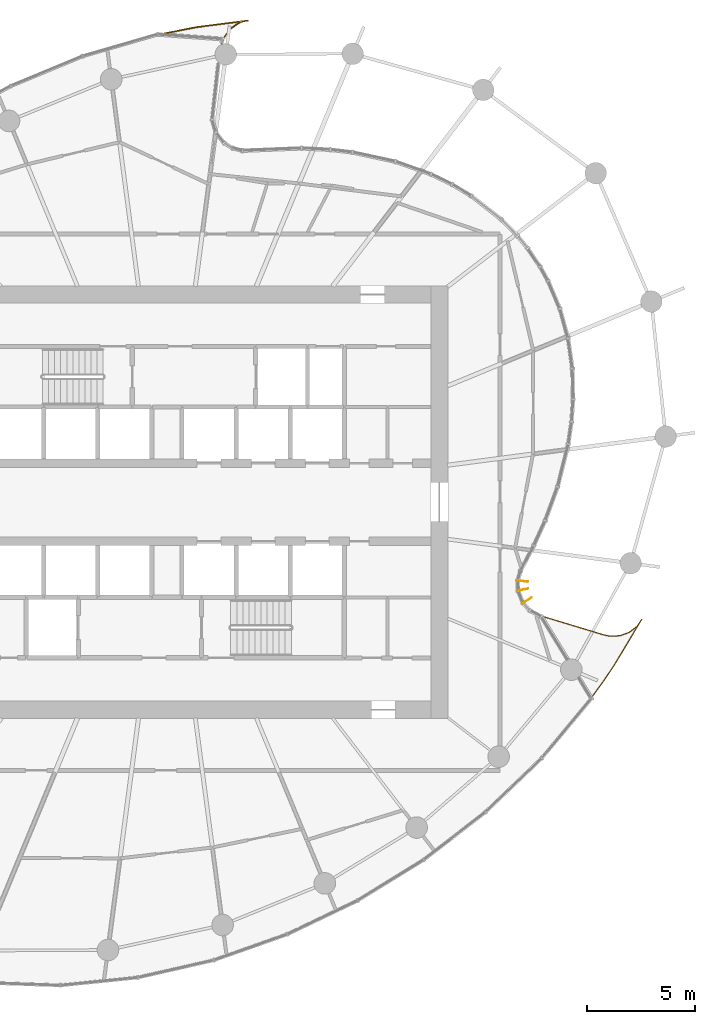
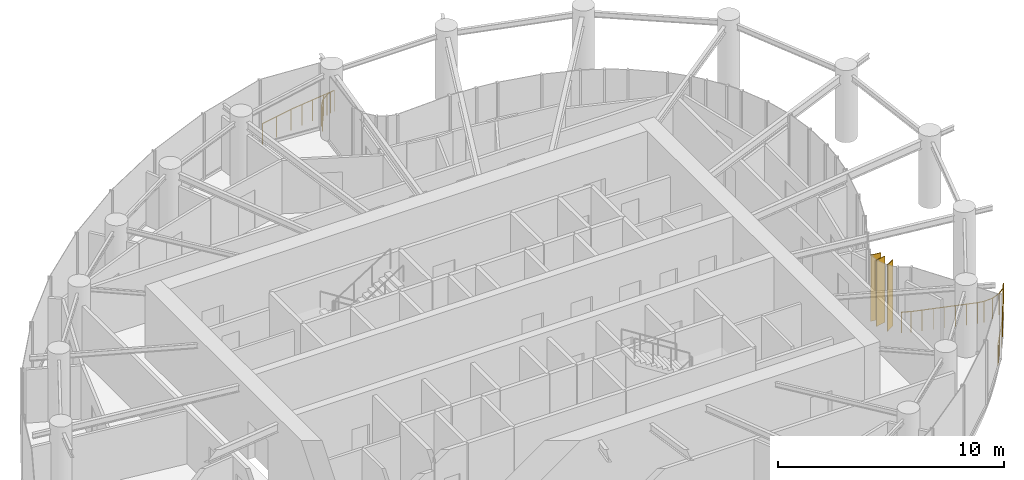
# One storey, part 19 of 19: 3 shading devices, 2 railings.
"""IFC4 building model written with IfcOpenShell, lengths in metres."""

from ifc_helpers import new_model, si_unit, direction, frame, origin, origin_2d, place, context, subcontext, project, spatial, rectangle, circle, extrude, source, transform, mapped, material, material_profile, profile_set, type_object, element, save


model = new_model("IFC4")

# Units and contexts
model_context = context("Model", 3, precision=1e-05, world=origin(), true_north=direction((0.0, 1.0)))
body_context = subcontext(model_context, "Body", "Model", "MODEL_VIEW")
ifc_project = project(units=[si_unit("LENGTHUNIT", "METRE"), si_unit("AREAUNIT", "SQUARE_METRE"), si_unit("VOLUMEUNIT", "CUBIC_METRE"), si_unit("PLANEANGLEUNIT", "RADIAN"), si_unit("MASSUNIT", "GRAM", prefix="KILO")], contexts=[model_context])

# Site, building, storey
site_placement = place(None, origin())
site = spatial("IfcSite", under=ifc_project, at=site_placement, CompositionType="ELEMENT")
building_placement = place(site_placement, origin())
building = spatial("IfcBuilding", under=site, at=building_placement, Name="Spindrift Exchange Tower", CompositionType="ELEMENT")
storey_placement = place(building_placement, frame((0.0, 0.0, 137.0)))
storey = spatial("IfcBuildingStorey", under=building, at=storey_placement, Name="L32", CompositionType="ELEMENT", Elevation=137.0)

# Railings
ifc_material_1 = material(Name="Bronze anodised aluminium balustrade", Category="aluminium")
railing_type = type_object("IfcRailingType", Name="TERRACE GUARDRAIL 1150", PredefinedType="GUARDRAIL", material=ifc_material_1)
railing_1_placement = place(storey_placement, frame((51.711669921875, 69.6396484375, 0.0)))
element("IfcRailing", 1, at=railing_1_placement, inside=storey, type_object=railing_type, Name="L32 Sky Garden Edge Guardrail 1", PredefinedType="GUARDRAIL", context=body_context, shape_type="SweptSolid", body=[
    extrude(circle(Radius=0.02392578125, at=origin_2d()), frame((0.0, 0.0, 1.1259765625), z_axis=(0.981373686901, 0.192108528332, 0.0), x_axis=(-0.192108528332, 0.981373686901, 0.0)), (0.0, 0.0, 1.0), 0.84375),
    extrude(circle(Radius=0.02392578125, at=origin_2d()), frame((0.828125, 0.162109375, 1.1259765625), z_axis=(0.981373686901, 0.192108528332, 0.0), x_axis=(-0.192108528332, 0.981373686901, 0.0)), (0.0, 0.0, 1.0), 0.84375),
    extrude(circle(Radius=0.02392578125, at=origin_2d()), frame((1.65625, 0.32421875, 1.1259765625), z_axis=(0.991869167736, 0.127261754253, 0.0), x_axis=(-0.127261754253, 0.991869167736, 0.0)), (0.0, 0.0, 1.0), 1.200927734375),
    extrude(circle(Radius=0.02392578125, at=origin_2d()), frame((2.847412109375, 0.47705078125, 1.1259765625), z_axis=(0.991846788825, 0.127436052581, 0.0), x_axis=(-0.127436052581, 0.991846788825, 0.0)), (0.0, 0.0, 1.0), 1.201171875),
    extrude(circle(Radius=0.02392578125, at=origin_2d()), frame((4.038818359375, 0.630126953125, 1.1259765625), z_axis=(-0.987808327422, -0.155675008517, 0.0), x_axis=(0.155675008517, -0.987808327422, 0.0)), (0.0, 0.0, 1.0), 0.218017578125),
    extrude(circle(Radius=0.02392578125, at=origin_2d()), frame((3.823486328125, 0.59619140625, 1.1259765625), z_axis=(-0.928622006569, -0.371027180831, 0.0), x_axis=(0.371027180831, -0.928622006569, 0.0)), (0.0, 0.0, 1.0), 0.231689453125),
    extrude(circle(Radius=0.02392578125, at=origin_2d()), frame((3.6083984375, 0.51025390625, 1.1259765625), z_axis=(-0.818260770075, -0.574847207662, 0.0), x_axis=(0.574847207662, -0.818260770075, 0.0)), (0.0, 0.0, 1.0), 0.44921875),
    extrude(circle(Radius=0.02392578125, at=origin_2d()), frame((3.24072265625, 0.251953125, 1.1259765625), z_axis=(-0.615031798694, -0.788502306018, 0.0), x_axis=(0.788502306018, -0.615031798694, 0.0)), (0.0, 0.0, 1.0), 0.448974609375),
    extrude(circle(Radius=0.02392578125, at=origin_2d()), frame((2.964599609375, -0.10205078125, 1.1259765625), z_axis=(-0.378997841244, -0.925397555828, 0.0), x_axis=(0.925397555828, -0.378997841244, 0.0)), (0.0, 0.0, 1.0), 0.364501953125),
    extrude(circle(Radius=0.02099609375, at=origin_2d()), origin(), (0.0, 0.0, 1.0), 1.101806640625),
    extrude(circle(Radius=0.02099609375, at=origin_2d()), frame((0.828125, 0.162109375, 0.0)), (0.0, 0.0, 1.0), 1.101806640625),
    extrude(circle(Radius=0.02099609375, at=origin_2d()), frame((1.65625, 0.32421875, 0.0)), (0.0, 0.0, 1.0), 1.101806640625),
    extrude(circle(Radius=0.02099609375, at=origin_2d()), frame((2.251953125, 0.400634765625, 0.0)), (0.0, 0.0, 1.0), 1.101806640625),
    extrude(circle(Radius=0.02099609375, at=origin_2d()), frame((2.847412109375, 0.47705078125, 0.0)), (0.0, 0.0, 1.0), 1.101806640625),
    extrude(circle(Radius=0.02099609375, at=origin_2d()), frame((3.443115234375, 0.5537109375, 0.0)), (0.0, 0.0, 1.0), 1.101806640625),
    extrude(circle(Radius=0.02099609375, at=origin_2d()), frame((4.038818359375, 0.630126953125, 0.0)), (0.0, 0.0, 1.0), 1.101806640625),
    extrude(circle(Radius=0.02099609375, at=origin_2d()), frame((3.823486328125, 0.59619140625, 0.0)), (0.0, 0.0, 1.0), 1.101806640625),
    extrude(circle(Radius=0.02099609375, at=origin_2d()), frame((3.6083984375, 0.51025390625, 0.0)), (0.0, 0.0, 1.0), 1.101806640625),
    extrude(circle(Radius=0.02099609375, at=origin_2d()), frame((3.24072265625, 0.251953125, 0.0)), (0.0, 0.0, 1.0), 1.101806640625),
    extrude(circle(Radius=0.02099609375, at=origin_2d()), frame((2.964599609375, -0.10205078125, 0.0)), (0.0, 0.0, 1.0), 1.101806640625),
    extrude(circle(Radius=0.02099609375, at=origin_2d()), frame((2.826416015625, -0.439453125, 0.0)), (0.0, 0.0, 1.0), 1.101806640625),
])
railing_2_placement = place(storey_placement, frame((68.9453125, 42.91259765625, 0.0)))
element("IfcRailing", 2, at=railing_2_placement, inside=storey, type_object=railing_type, Name="L32 Sky Garden Edge Guardrail 2", PredefinedType="GUARDRAIL", context=body_context, shape_type="SweptSolid", body=[
    extrude(circle(Radius=0.02392578125, at=origin_2d()), frame((0.0, 0.0, 1.1259765625), z_axis=(0.90652451572, -0.422153174094, 0.0), x_axis=(0.422153174094, 0.90652451572, 0.0)), (0.0, 0.0, 1.0), 0.419921875),
    extrude(circle(Radius=0.02392578125, at=origin_2d()), frame((0.380615234375, -0.17724609375, 1.1259765625), z_axis=(0.957147125917, -0.289602105223, 0.0), x_axis=(0.289602105223, 0.957147125917, 0.0)), (0.0, 0.0, 1.0), 1.003173828125),
    extrude(circle(Radius=0.02392578125, at=origin_2d()), frame((1.3408203125, -0.4677734375, 1.1259765625), z_axis=(0.957167529501, -0.289534661949, 0.0), x_axis=(0.289534661949, 0.957167529501, 0.0)), (0.0, 0.0, 1.0), 1.00341796875),
    extrude(circle(Radius=0.02392578125, at=origin_2d()), frame((2.30126953125, -0.75830078125, 1.1259765625), z_axis=(0.957214562964, -0.289379129256, 0.0), x_axis=(0.289379129256, 0.957214562964, 0.0)), (0.0, 0.0, 1.0), 1.003173828125),
    extrude(circle(Radius=0.02392578125, at=origin_2d()), frame((3.261474609375, -1.048583984375, 1.1259765625), z_axis=(0.980986281512, -0.19407708645, 0.0), x_axis=(0.19407708645, 0.980986281512, 0.0)), (0.0, 0.0, 1.0), 0.29931640625),
    extrude(circle(Radius=0.02392578125, at=origin_2d()), frame((3.55517578125, -1.106689453125, 1.1259765625), z_axis=(0.998666917279, 0.051617713352, 0.0), x_axis=(-0.051617713352, 0.998666917279, 0.0)), (0.0, 0.0, 1.0), 0.44921875),
    extrude(circle(Radius=0.02392578125, at=origin_2d()), frame((4.00390625, -1.08349609375, 1.1259765625), z_axis=(0.939920335734, 0.341393852424, 0.0), x_axis=(-0.341393852424, 0.939920335734, 0.0)), (0.0, 0.0, 1.0), 0.44921875),
    extrude(circle(Radius=0.02392578125, at=origin_2d()), frame((4.426025390625, -0.93017578125, 1.1259765625), z_axis=(0.799739139933, 0.600347655996, 0.0), x_axis=(-0.600347655996, 0.799739139933, 0.0)), (0.0, 0.0, 1.0), 0.449462890625),
    extrude(circle(Radius=0.02392578125, at=origin_2d()), frame((4.785400390625, -0.660400390625, 1.1259765625), z_axis=(0.557469678033, 0.830197300691, 0.0), x_axis=(-0.830197300691, 0.557469678033, 0.0)), (0.0, 0.0, 1.0), 0.406494140625),
    extrude(circle(Radius=0.02392578125, at=origin_2d()), frame((5.011962890625, -0.322998046875, 1.1259765625), z_axis=(-0.514381311647, -0.857561581596, 0.0), x_axis=(0.857561581596, -0.514381311647, 0.0)), (0.0, 0.0, 1.0), 1.2548828125),
    extrude(circle(Radius=0.02392578125, at=origin_2d()), frame((4.366455078125, -1.399169921875, 1.1259765625), z_axis=(-0.514610197681, -0.857424249974, 0.0), x_axis=(0.857424249974, -0.514610197681, 0.0)), (0.0, 0.0, 1.0), 1.2548828125),
    extrude(circle(Radius=0.02392578125, at=origin_2d()), frame((3.720703125, -2.47509765625, 1.1259765625), z_axis=(-0.556416561526, -0.83090349022, 0.0), x_axis=(0.83090349022, -0.556416561526, 0.0)), (0.0, 0.0, 1.0), 0.820068359375),
    extrude(circle(Radius=0.02392578125, at=origin_2d()), frame((3.264404296875, -3.156494140625, 1.1259765625), z_axis=(-0.588161450994, -0.808743536336, 0.0), x_axis=(0.808743536336, -0.588161450994, 0.0)), (0.0, 0.0, 1.0), 1.416748046875),
    extrude(circle(Radius=0.02099609375, at=origin_2d()), origin(), (0.0, 0.0, 1.0), 1.101806640625),
    extrude(circle(Radius=0.02099609375, at=origin_2d()), frame((0.380615234375, -0.17724609375, 0.0)), (0.0, 0.0, 1.0), 1.101806640625),
    extrude(circle(Radius=0.02099609375, at=origin_2d()), frame((0.86083984375, -0.322509765625, 0.0)), (0.0, 0.0, 1.0), 1.101806640625),
    extrude(circle(Radius=0.02099609375, at=origin_2d()), frame((1.3408203125, -0.4677734375, 0.0)), (0.0, 0.0, 1.0), 1.101806640625),
    extrude(circle(Radius=0.02099609375, at=origin_2d()), frame((1.821044921875, -0.613037109375, 0.0)), (0.0, 0.0, 1.0), 1.101806640625),
    extrude(circle(Radius=0.02099609375, at=origin_2d()), frame((2.30126953125, -0.75830078125, 0.0)), (0.0, 0.0, 1.0), 1.101806640625),
    extrude(circle(Radius=0.02099609375, at=origin_2d()), frame((2.78125, -0.9033203125, 0.0)), (0.0, 0.0, 1.0), 1.101806640625),
    extrude(circle(Radius=0.02099609375, at=origin_2d()), frame((3.261474609375, -1.048583984375, 0.0)), (0.0, 0.0, 1.0), 1.101806640625),
    extrude(circle(Radius=0.02099609375, at=origin_2d()), frame((3.55517578125, -1.106689453125, 0.0)), (0.0, 0.0, 1.0), 1.101806640625),
    extrude(circle(Radius=0.02099609375, at=origin_2d()), frame((4.00390625, -1.08349609375, 0.0)), (0.0, 0.0, 1.0), 1.101806640625),
    extrude(circle(Radius=0.02099609375, at=origin_2d()), frame((4.426025390625, -0.93017578125, 0.0)), (0.0, 0.0, 1.0), 1.101806640625),
    extrude(circle(Radius=0.02099609375, at=origin_2d()), frame((4.785400390625, -0.660400390625, 0.0)), (0.0, 0.0, 1.0), 1.101806640625),
    extrude(circle(Radius=0.02099609375, at=origin_2d()), frame((5.011962890625, -0.322998046875, 0.0)), (0.0, 0.0, 1.0), 1.101806640625),
    extrude(circle(Radius=0.02099609375, at=origin_2d()), frame((4.689208984375, -0.861083984375, 0.0)), (0.0, 0.0, 1.0), 1.101806640625),
    extrude(circle(Radius=0.02099609375, at=origin_2d()), frame((4.366455078125, -1.399169921875, 0.0)), (0.0, 0.0, 1.0), 1.101806640625),
    extrude(circle(Radius=0.02099609375, at=origin_2d()), frame((4.04345703125, -1.93701171875, 0.0)), (0.0, 0.0, 1.0), 1.101806640625),
    extrude(circle(Radius=0.02099609375, at=origin_2d()), frame((3.720703125, -2.47509765625, 0.0)), (0.0, 0.0, 1.0), 1.101806640625),
    extrude(circle(Radius=0.02099609375, at=origin_2d()), frame((3.264404296875, -3.156494140625, 0.0)), (0.0, 0.0, 1.0), 1.101806640625),
    extrude(circle(Radius=0.02099609375, at=origin_2d()), frame((2.84765625, -3.7294921875, 0.0)), (0.0, 0.0, 1.0), 1.101806640625),
    extrude(circle(Radius=0.02099609375, at=origin_2d()), frame((2.43115234375, -4.30224609375, 0.0)), (0.0, 0.0, 1.0), 1.101806640625),
])

# Shading devices
ifc_material_2 = material(Name="Bronze anodised aluminium", Category="aluminium")
ifc_material_profile = material_profile(ifc_material_2, rectangle(XDim=0.030029296875, YDim=0.5, at=origin_2d()), Name="WIND FIN 30X500")
ifc_profile_set = profile_set([ifc_material_profile], Name="Bronze anodised aluminium")
shading_device_type = type_object("IfcShadingDeviceType", Name="WIND FIN 30X500", PredefinedType="USERDEFINED", material=ifc_profile_set)
shared_shape = source(origin(), body_context, "Body", "SweptSolid", [
    extrude(rectangle(XDim=0.030029296875, YDim=0.5, at=origin_2d()), origin(), (0.0, 0.0, 1.0), 3.580078125),
])
for number, where, z_axis, x_axis, name in (
    (3, (68.656982421875, 43.4599609375, 0.0), (0.0, 0.0, 1.0), (-0.527685405675, 0.849439881709, 0.0), "L32 wind fin 1"),
    (4, (68.458984375, 43.953125, 0.0), (0.0, 0.0, 1.0), (-0.206260543126, 0.97849710697, 0.0), "L32 wind fin 2"),
    (5, (68.4462890625, 44.34765625, 0.0), (0.0, 0.0, 1.0), (0.116083090794, 0.993239505875, 0.0), "L32 wind fin 3"),
):
    element("IfcShadingDevice", number, at=place(storey_placement, frame(where, z_axis=z_axis, x_axis=x_axis)), inside=storey, type_object=shading_device_type, Name=name, ObjectType="FIN", PredefinedType="USERDEFINED", context=body_context, shape_type="MappedRepresentation", body=[
        mapped(shared_shape, transform((0.0, 0.0, 0.0), scale=1.0)),
    ])

save(model, "model.ifc")
